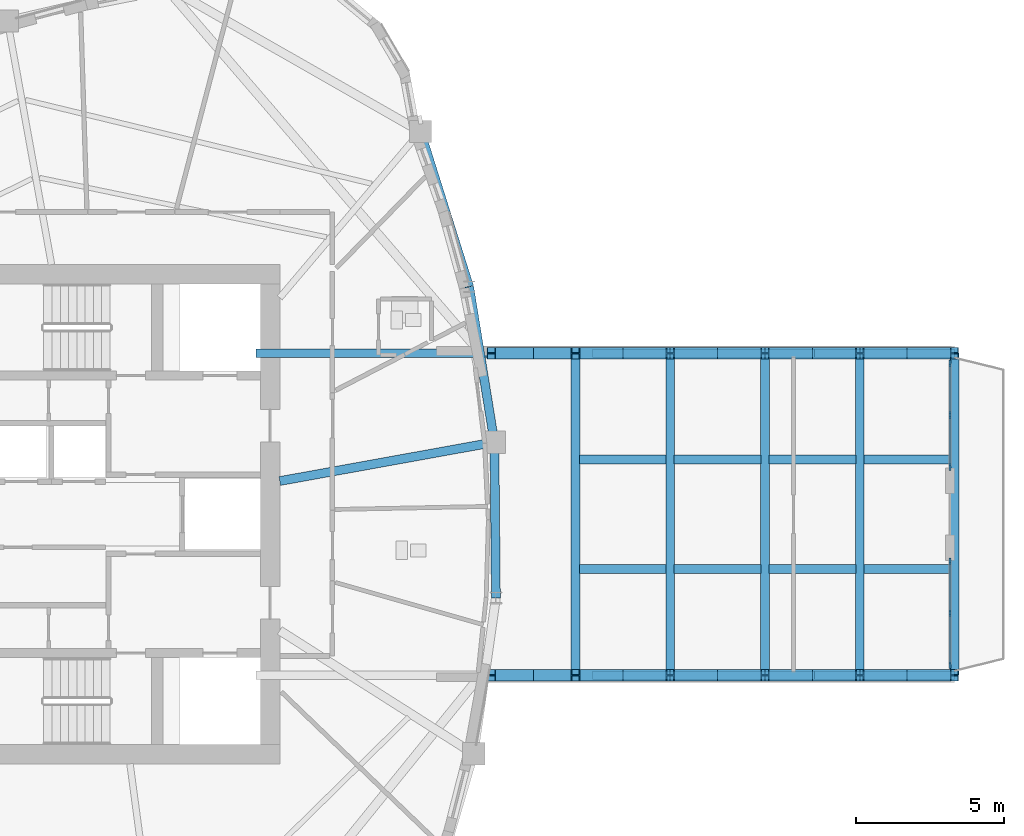
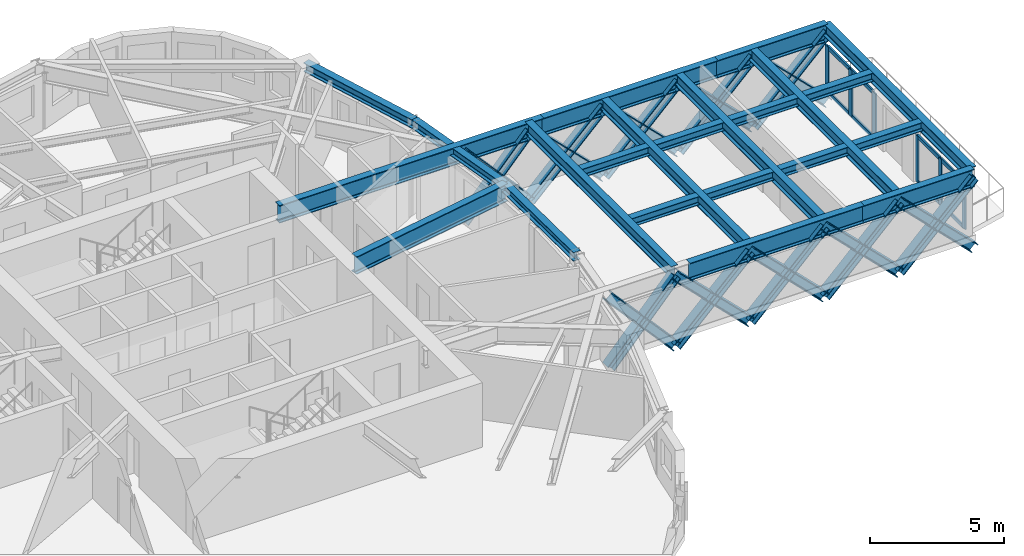
# One storey, part 2 of 13: 34 members, 22 beams, 2 elements without a shape of their own.
"""IFC4 building model written with IfcOpenShell, lengths in metres."""

from ifc_helpers import new_model, si_unit, direction, frame, origin, origin_2d, place, context, subcontext, project, spatial, rectangle, i_section, extrude, source, transform, mapped, material, layer, layer_set, material_profile, profile_set, type_object, element, aggregate, save


model = new_model("IFC4")

# Units and contexts
model_context = context("Model", 3, precision=1e-05, world=origin(), true_north=direction((0.0, 1.0)))
body_context = subcontext(model_context, "Body", "Model", "MODEL_VIEW")
ifc_project = project(units=[si_unit("LENGTHUNIT", "METRE"), si_unit("AREAUNIT", "SQUARE_METRE"), si_unit("VOLUMEUNIT", "CUBIC_METRE"), si_unit("PLANEANGLEUNIT", "RADIAN"), si_unit("MASSUNIT", "GRAM", prefix="KILO")], contexts=[model_context])

# Site, building, storey
site_placement = place(None, origin())
site = spatial("IfcSite", under=ifc_project, at=site_placement, CompositionType="ELEMENT")
building_placement = place(site_placement, origin())
building = spatial("IfcBuilding", under=site, at=building_placement, Name="Qafzar Sky-Pleat Residences", CompositionType="ELEMENT")
storey_placement = place(building_placement, frame((0.0, 0.0, 155.39990234375)))
storey = spatial("IfcBuildingStorey", under=building, at=storey_placement, Name="L46", CompositionType="ELEMENT", Elevation=155.39990234375)

# Beams
ifc_material_1 = material(Name="Steel S355", Category="steel")
ifc_material_profile_1 = material_profile(ifc_material_1, i_section(OverallWidth=0.300048828125, OverallDepth=0.39990234375, WebThickness=0.013427734375, FlangeThickness=0.02392578125, FilletRadius=0.027099609375, at=origin_2d()), Name="HEB 400")
ifc_profile_set_1 = profile_set([ifc_material_profile_1], Name="Steel S355")
beam_type_1 = type_object("IfcBeamType", Name="BM-SPAN-HEB400", PredefinedType="SPANDREL", material=ifc_profile_set_1)
shared_shape_1 = source(origin(), body_context, "Body", "SweptSolid", [
    extrude(i_section(OverallWidth=0.300048828125, OverallDepth=0.39990234375, WebThickness=0.013427734375, FlangeThickness=0.02392578125, FilletRadius=0.027099609375, at=origin_2d()), origin(), (0.0, 0.0, 1.0), 5.508544921875),
])
beam_1_placement = place(storey_placement, frame((42.964111328125, 33.7001953125, 2.733154296875), z_axis=(-0.300093956645, 0.953909648334, 0.0), x_axis=(-0.953909648334, -0.300093956645, 0.0)))
element("IfcBeam", 1, at=beam_1_placement, inside=storey, type_object=beam_type_1, Name="L46 Perimeter Spandrel Beam 12", PredefinedType="SPANDREL", context=body_context, shape_type="MappedRepresentation", body=[
    mapped(shared_shape_1, transform((0.0, 0.0, 0.0), x_axis=(1.0, 0.0, 0.0), y_axis=(0.0, 1.0, 0.0), z_axis=(0.0, 0.0, 1.0), scale=1.0)),
])
shared_shape_2 = source(origin(), body_context, "Body", "SweptSolid", [
    extrude(i_section(OverallWidth=0.300048828125, OverallDepth=0.39990234375, WebThickness=0.013427734375, FlangeThickness=0.02392578125, FilletRadius=0.027099609375, at=origin_2d()), origin(), (0.0, 0.0, 1.0), 5.330810546875),
])
beam_2_placement = place(storey_placement, frame((43.81591796875, 28.43798828125, 2.733154296875), z_axis=(-0.159792544601, 0.987150618037, 0.0), x_axis=(-0.987150618037, -0.159792544601, 0.0)))
element("IfcBeam", 2, at=beam_2_placement, inside=storey, type_object=beam_type_1, Name="L46 Perimeter Spandrel Beam 11", PredefinedType="SPANDREL", context=body_context, shape_type="MappedRepresentation", body=[
    mapped(shared_shape_2, transform((0.0, 0.0, 0.0), x_axis=(1.0, 0.0, 0.0), y_axis=(0.0, 1.0, 0.0), z_axis=(0.0, 0.0, 1.0), scale=1.0)),
])
shared_shape_3 = source(origin(), body_context, "Body", "SweptSolid", [
    extrude(i_section(OverallWidth=0.300048828125, OverallDepth=0.39990234375, WebThickness=0.013427734375, FlangeThickness=0.02392578125, FilletRadius=0.027099609375, at=origin_2d()), origin(), (0.0, 0.0, 1.0), 5.27001953125),
])
beam_3_placement = place(storey_placement, frame((43.866943359375, 23.168212890625, 2.733154296875), z_axis=(-0.009682196128, 0.999953126441, 0.0), x_axis=(-0.999953126441, -0.009682196128, 0.0)))
element("IfcBeam", 3, at=beam_3_placement, inside=storey, type_object=beam_type_1, Name="L46 Perimeter Spandrel Beam 10", PredefinedType="SPANDREL", context=body_context, shape_type="MappedRepresentation", body=[
    mapped(shared_shape_3, transform((0.0, 0.0, 0.0), x_axis=(1.0, 0.0, 0.0), y_axis=(0.0, 1.0, 0.0), z_axis=(0.0, 0.0, 1.0), scale=1.0)),
])
ifc_material_2 = material(Name="Steel S460", Category="steel")
ifc_material_profile_2 = material_profile(ifc_material_2, i_section(OverallWidth=0.300048828125, OverallDepth=0.800048828125, WebThickness=0.017578125, FlangeThickness=0.032958984375, FilletRadius=0.030029296875, at=origin_2d()), Name="HEB 800")
ifc_profile_set_2 = profile_set([ifc_material_profile_2], Name="Steel S460")
beam_type_2 = type_object("IfcBeamType", Name="BM-CHORD-HEB800", PredefinedType="BEAM", material=ifc_profile_set_2)
shared_shape_4 = source(origin(), body_context, "Body", "SweptSolid", [
    extrude(i_section(OverallWidth=0.300048828125, OverallDepth=0.800048828125, WebThickness=0.017578125, FlangeThickness=0.032958984375, FilletRadius=0.030029296875, at=origin_2d()), origin(), (0.0, 0.0, 1.0), 7.384033203125),
])
beam_4_placement = place(storey_placement, frame((43.81591796875, 28.43798828125, 2.533203125), z_axis=(-0.98400400276, -0.178146351496, 0.0), x_axis=(0.178146351496, -0.98400400276, 0.0)))
element("IfcBeam", 4, at=beam_4_placement, inside=storey, type_object=beam_type_2, Name="L46 Radial Floor Girder 11", PredefinedType="BEAM", context=body_context, shape_type="MappedRepresentation", body=[
    mapped(shared_shape_4, transform((0.0, 0.0, 0.0), x_axis=(1.0, 0.0, 0.0), y_axis=(0.0, 1.0, 0.0), z_axis=(0.0, 0.0, 1.0), scale=1.0)),
])
shared_shape_5 = source(origin(), body_context, "Body", "SweptSolid", [
    extrude(i_section(OverallWidth=0.300048828125, OverallDepth=0.800048828125, WebThickness=0.017578125, FlangeThickness=0.032958984375, FilletRadius=0.030029296875, at=origin_2d()), origin(), (0.0, 0.0, 1.0), 11.405029296875),
])
beam_5_placement = place(storey_placement, frame((35.75, 31.449951171875, 2.533203125), z_axis=(1.0, 0.0, 0.0), x_axis=(0.0, 1.0, 0.0)))
element("IfcBeam", 5, at=beam_5_placement, inside=storey, type_object=beam_type_2, Name="L46 SB-4 Truss Chord L1", PredefinedType="BEAM", context=body_context, shape_type="MappedRepresentation", body=[
    mapped(shared_shape_5, transform((0.0, 0.0, 0.0), x_axis=(1.0, 0.0, 0.0), y_axis=(0.0, 1.0, 0.0), z_axis=(0.0, 0.0, 1.0), scale=1.0)),
])
shared_shape_6 = source(origin(), body_context, "Body", "SweptSolid", [
    extrude(i_section(OverallWidth=0.300048828125, OverallDepth=0.800048828125, WebThickness=0.017578125, FlangeThickness=0.032958984375, FilletRadius=0.030029296875, at=origin_2d()), origin(), (0.0, 0.0, 1.0), 7.510009765625),
])
for number, where, z_axis, x_axis, name in (
    (6, (47.14501953125, 31.449951171875, 2.533203125), (1.0, 0.0, 0.0), (0.0, 1.0, 0.0), "L46 SB-4 Truss Chord L2"),
    (7, (47.14501953125, 20.550048828125, 2.533203125), (1.0, 0.0, 0.0), (0.0, 1.0, 0.0), "L46 SB-4 Truss Chord R2"),
):
    element("IfcBeam", number, at=place(storey_placement, frame(where, z_axis=z_axis, x_axis=x_axis)), inside=storey, type_object=beam_type_2, Name=name, PredefinedType="BEAM", context=body_context, shape_type="MappedRepresentation", body=[
        mapped(shared_shape_6, transform((0.0, 0.0, 0.0), x_axis=(1.0, 0.0, 0.0), y_axis=(0.0, 1.0, 0.0), z_axis=(0.0, 0.0, 1.0), scale=1.0)),
    ])
shared_shape_7 = source(origin(), body_context, "Body", "SweptSolid", [
    extrude(i_section(OverallWidth=0.300048828125, OverallDepth=0.800048828125, WebThickness=0.017578125, FlangeThickness=0.032958984375, FilletRadius=0.030029296875, at=origin_2d()), origin(), (0.0, 0.0, 1.0), 4.74755859375),
])
for number, where, z_axis, x_axis, name in (
    (8, (54.64501953125, 31.449951171875, 2.533203125), (1.0, 0.0, 0.0), (0.0, 1.0, 0.0), "L46 SB-4 Truss Chord L3"),
    (9, (54.64501953125, 20.550048828125, 2.533203125), (1.0, 0.0, 0.0), (0.0, 1.0, 0.0), "L46 SB-4 Truss Chord R3"),
):
    element("IfcBeam", number, at=place(storey_placement, frame(where, z_axis=z_axis, x_axis=x_axis)), inside=storey, type_object=beam_type_2, Name=name, PredefinedType="BEAM", context=body_context, shape_type="MappedRepresentation", body=[
        mapped(shared_shape_7, transform((0.0, 0.0, 0.0), x_axis=(1.0, 0.0, 0.0), y_axis=(0.0, 1.0, 0.0), z_axis=(0.0, 0.0, 1.0), scale=1.0)),
    ])
ifc_material_profile_3 = material_profile(ifc_material_1, i_section(OverallWidth=0.300048828125, OverallDepth=0.550048828125, WebThickness=0.014892578125, FlangeThickness=0.029052734375, FilletRadius=0.027099609375, at=origin_2d()), Name="HEB 550")
ifc_profile_set_3 = profile_set([ifc_material_profile_3], Name="Steel S355")
beam_type_3 = type_object("IfcBeamType", Name="BM-GIRD-HEB550", PredefinedType="BEAM", material=ifc_profile_set_3)
shared_shape_8 = source(origin(), body_context, "Body", "SweptSolid", [
    extrude(i_section(OverallWidth=0.300048828125, OverallDepth=0.550048828125, WebThickness=0.014892578125, FlangeThickness=0.029052734375, FilletRadius=0.027099609375, at=origin_2d()), origin(), (0.0, 0.0, 1.0), 10.89990234375),
])
for number, where, z_axis, x_axis, name in (
    (10, (46.55859375, 31.449951171875, 2.658203125), (0.0, -1.0, 0.0), (1.0, 0.0, 0.0), "L46 SB-4 Transverse Girder 1"),
    (11, (49.76708984375, 31.449951171875, 2.658203125), (0.0, -1.0, 0.0), (1.0, 0.0, 0.0), "L46 SB-4 Transverse Girder 2"),
    (12, (52.9755859375, 31.449951171875, 2.658203125), (0.0, -1.0, 0.0), (1.0, 0.0, 0.0), "L46 SB-4 Transverse Girder 3"),
    (13, (56.18408203125, 31.449951171875, 2.658203125), (0.0, -1.0, 0.0), (1.0, 0.0, 0.0), "L46 SB-4 Transverse Girder 4"),
    (14, (59.392578125, 31.449951171875, 2.658203125), (0.0, -1.0, 0.0), (1.0, 0.0, 0.0), "L46 SB-4 Transverse Girder 5"),
):
    element("IfcBeam", number, at=place(storey_placement, frame(where, z_axis=z_axis, x_axis=x_axis)), inside=storey, type_object=beam_type_3, Name=name, PredefinedType="BEAM", context=body_context, shape_type="MappedRepresentation", body=[
        mapped(shared_shape_8, transform((0.0, 0.0, 0.0), x_axis=(1.0, 0.0, 0.0), y_axis=(0.0, 1.0, 0.0), z_axis=(0.0, 0.0, 1.0), scale=1.0)),
    ])
ifc_material_profile_4 = material_profile(ifc_material_1, i_section(OverallWidth=0.300048828125, OverallDepth=0.389892578125, WebThickness=0.010986328125, FlangeThickness=0.01904296875, FilletRadius=0.027099609375, at=origin_2d()), Name="HEA 400")
ifc_profile_set_4 = profile_set([ifc_material_profile_4], Name="Steel S355")
beam_type_4 = type_object("IfcBeamType", Name="BM-SBJ-HEA400", PredefinedType="JOIST", material=ifc_profile_set_4)
shared_shape_9 = source(origin(), body_context, "Body", "SweptSolid", [
    extrude(i_section(OverallWidth=0.300048828125, OverallDepth=0.389892578125, WebThickness=0.010986328125, FlangeThickness=0.01904296875, FilletRadius=0.027099609375, at=origin_2d()), origin(), (0.0, 0.0, 1.0), 2.9384765625),
])
for number, where, z_axis, x_axis, name in (
    (15, (46.693603515625, 24.14697265625, 2.738037109375), (1.0, 0.0, 0.0), (0.0, 1.0, 0.0), "L46 SB-4 Sky-Bar Secondary Deck Joist 2.1"),
    (16, (46.693603515625, 27.85302734375, 2.738037109375), (1.0, 0.0, 0.0), (0.0, 1.0, 0.0), "L46 SB-4 Sky-Bar Secondary Deck Joist 2.2"),
    (17, (49.902099609375, 24.14697265625, 2.738037109375), (1.0, 0.0, 0.0), (0.0, 1.0, 0.0), "L46 SB-4 Sky-Bar Secondary Deck Joist 3.1"),
    (18, (49.902099609375, 27.85302734375, 2.738037109375), (1.0, 0.0, 0.0), (0.0, 1.0, 0.0), "L46 SB-4 Sky-Bar Secondary Deck Joist 3.2"),
    (19, (53.110595703125, 24.14697265625, 2.738037109375), (1.0, 0.0, 0.0), (0.0, 1.0, 0.0), "L46 SB-4 Sky-Bar Secondary Deck Joist 4.1"),
    (20, (53.110595703125, 27.85302734375, 2.738037109375), (1.0, 0.0, 0.0), (0.0, 1.0, 0.0), "L46 SB-4 Sky-Bar Secondary Deck Joist 4.2"),
    (21, (56.319091796875, 24.14697265625, 2.738037109375), (1.0, 0.0, 0.0), (0.0, 1.0, 0.0), "L46 SB-4 Sky-Bar Secondary Deck Joist 5.1"),
    (22, (56.319091796875, 27.85302734375, 2.738037109375), (1.0, 0.0, 0.0), (0.0, 1.0, 0.0), "L46 SB-4 Sky-Bar Secondary Deck Joist 5.2"),
):
    element("IfcBeam", number, at=place(storey_placement, frame(where, z_axis=z_axis, x_axis=x_axis)), inside=storey, type_object=beam_type_4, Name=name, PredefinedType="JOIST", context=body_context, shape_type="MappedRepresentation", body=[
        mapped(shared_shape_9, transform((0.0, 0.0, 0.0), x_axis=(1.0, 0.0, 0.0), y_axis=(0.0, 1.0, 0.0), z_axis=(0.0, 0.0, 1.0), scale=1.0)),
    ])

# Members
ifc_material_profile_5 = material_profile(ifc_material_2, i_section(OverallWidth=0.40087890625, OverallDepth=0.39892578125, WebThickness=0.02294921875, FlangeThickness=0.035888671875, FilletRadius=0.014892578125, at=origin_2d()), Name="HD 400x314")
ifc_profile_set_5 = profile_set([ifc_material_profile_5], Name="Steel S460")
member_type_1 = type_object("IfcMemberType", Name="MEM-SB-DIAG", PredefinedType="BRACE", material=ifc_profile_set_5)
shared_shape_10 = source(origin(), body_context, "Body", "SweptSolid", [
    extrude(i_section(OverallWidth=0.40087890625, OverallDepth=0.39892578125, WebThickness=0.02294921875, FlangeThickness=0.035888671875, FilletRadius=0.014892578125, at=origin_2d()), origin(), (0.0, 0.0, 1.0), 4.284423828125),
])
for number, where, z_axis, x_axis, name in (
    (23, (43.7099609375, 31.449951171875, -0.6669921875), (0.664887140992, 0.0, 0.746943833058), (0.0, 1.0, 0.0), "L46 SB-4 Truss Web Diagonal L1A"),
    (24, (43.7099609375, 31.449951171875, 2.533203125), (0.664887140992, 0.0, -0.746943833058), (0.0, 1.0, 0.0), "L46 SB-4 Truss Web Diagonal L1B"),
    (25, (43.7099609375, 20.550048828125, -0.6669921875), (0.664887140992, 0.0, 0.746943833058), (0.0, 1.0, 0.0), "L46 SB-4 Truss Web Diagonal R1A"),
    (26, (43.7099609375, 20.550048828125, 2.533203125), (0.664887140992, 0.0, -0.746943833058), (0.0, 1.0, 0.0), "L46 SB-4 Truss Web Diagonal R1B"),
):
    element("IfcMember", number, at=place(storey_placement, frame(where, z_axis=z_axis, x_axis=x_axis)), inside=storey, type_object=member_type_1, Name=name, PredefinedType="BRACE", context=body_context, shape_type="MappedRepresentation", body=[
        mapped(shared_shape_10, transform((0.0, 0.0, 0.0), x_axis=(1.0, 0.0, 0.0), y_axis=(0.0, 1.0, 0.0), z_axis=(0.0, 0.0, 1.0), scale=1.0)),
    ])
shared_shape_11 = source(origin(), body_context, "Body", "SweptSolid", [
    extrude(i_section(OverallWidth=0.40087890625, OverallDepth=0.39892578125, WebThickness=0.02294921875, FlangeThickness=0.035888671875, FilletRadius=0.014892578125, at=origin_2d()), origin(), (0.0, 0.0, 1.0), 4.53173828125),
])
for number, where, z_axis, x_axis, name in (
    (27, (46.55859375, 31.449951171875, -0.6669921875), (0.708022058924, 0.0, 0.706190317179), (0.0, 1.0, 0.0), "L46 SB-4 Truss Web Diagonal L2A"),
    (28, (46.55859375, 31.449951171875, 2.533203125), (0.708022058924, 0.0, -0.706190317179), (0.0, 1.0, 0.0), "L46 SB-4 Truss Web Diagonal L2B"),
    (29, (49.76708984375, 31.449951171875, -0.6669921875), (0.708022058924, 0.0, 0.706190317179), (0.0, 1.0, 0.0), "L46 SB-4 Truss Web Diagonal L3A"),
    (30, (49.76708984375, 31.449951171875, 2.533203125), (0.708022058924, 0.0, -0.706190317179), (0.0, 1.0, 0.0), "L46 SB-4 Truss Web Diagonal L3B"),
    (31, (52.9755859375, 31.449951171875, -0.6669921875), (0.708022058924, 0.0, 0.706190317179), (0.0, 1.0, 0.0), "L46 SB-4 Truss Web Diagonal L4A"),
    (32, (52.9755859375, 31.449951171875, 2.533203125), (0.708022058924, 0.0, -0.706190317179), (0.0, 1.0, 0.0), "L46 SB-4 Truss Web Diagonal L4B"),
    (33, (56.18408203125, 31.449951171875, -0.6669921875), (0.708022058924, 0.0, 0.706190317179), (0.0, 1.0, 0.0), "L46 SB-4 Truss Web Diagonal L5A"),
    (34, (56.18408203125, 31.449951171875, 2.533203125), (0.708022058924, 0.0, -0.706190317179), (0.0, 1.0, 0.0), "L46 SB-4 Truss Web Diagonal L5B"),
    (35, (46.55859375, 20.550048828125, -0.6669921875), (0.708022058924, 0.0, 0.706190317179), (0.0, 1.0, 0.0), "L46 SB-4 Truss Web Diagonal R2A"),
    (36, (46.55859375, 20.550048828125, 2.533203125), (0.708022058924, 0.0, -0.706190317179), (0.0, 1.0, 0.0), "L46 SB-4 Truss Web Diagonal R2B"),
    (37, (49.76708984375, 20.550048828125, -0.6669921875), (0.708022058924, 0.0, 0.706190317179), (0.0, 1.0, 0.0), "L46 SB-4 Truss Web Diagonal R3A"),
    (38, (49.76708984375, 20.550048828125, 2.533203125), (0.708022058924, 0.0, -0.706190317179), (0.0, 1.0, 0.0), "L46 SB-4 Truss Web Diagonal R3B"),
    (39, (52.9755859375, 20.550048828125, -0.6669921875), (0.708022058924, 0.0, 0.706190317179), (0.0, 1.0, 0.0), "L46 SB-4 Truss Web Diagonal R4A"),
    (40, (52.9755859375, 20.550048828125, 2.533203125), (0.708022058924, 0.0, -0.706190317179), (0.0, 1.0, 0.0), "L46 SB-4 Truss Web Diagonal R4B"),
    (41, (56.18408203125, 20.550048828125, -0.6669921875), (0.708022058924, 0.0, 0.706190317179), (0.0, 1.0, 0.0), "L46 SB-4 Truss Web Diagonal R5A"),
    (42, (56.18408203125, 20.550048828125, 2.533203125), (0.708022058924, 0.0, -0.706190317179), (0.0, 1.0, 0.0), "L46 SB-4 Truss Web Diagonal R5B"),
):
    element("IfcMember", number, at=place(storey_placement, frame(where, z_axis=z_axis, x_axis=x_axis)), inside=storey, type_object=member_type_1, Name=name, PredefinedType="BRACE", context=body_context, shape_type="MappedRepresentation", body=[
        mapped(shared_shape_11, transform((0.0, 0.0, 0.0), x_axis=(1.0, 0.0, 0.0), y_axis=(0.0, 1.0, 0.0), z_axis=(0.0, 0.0, 1.0), scale=1.0)),
    ])

# Curtain wall, members
ifc_material_3 = material(Name="Anodised bronze aluminium framing", Category="aluminium")
ifc_layer_1 = layer(ifc_material_3, 0.239990234375)
ifc_layer_set_1 = layer_set([ifc_layer_1], Name="Anodised bronze aluminium framing")
curtain_wall_type_1 = type_object("IfcCurtainWallType", Name="CW-SYS-02", PredefinedType="NOTDEFINED", material=ifc_layer_set_1)
curtain_wall_1_placement = place(storey_placement, origin())
curtain_wall_1 = element("IfcCurtainWall", 43, at=curtain_wall_1_placement, inside=storey, type_object=curtain_wall_type_1, Name="L46 CW-02 Curtain Wall CW-L46-SB-4-PROW-L", PredefinedType="NOTDEFINED")
ifc_material_4 = material(Name="Anodised bronze aluminium", Category="aluminium")
ifc_material_profile_6 = material_profile(ifc_material_4, rectangle(XDim=0.074951171875, YDim=0.239990234375, at=origin_2d()), Name="ALU MULLION 75x240")
ifc_profile_set_6 = profile_set([ifc_material_profile_6], Name="Anodised bronze aluminium")
member_type_2 = type_object("IfcMemberType", Name="CWM-02", PredefinedType="MULLION", material=ifc_profile_set_6)
shared_shape_12 = source(origin(), body_context, "Body", "SweptSolid", [
    extrude(rectangle(XDim=0.074951171875, YDim=0.239990234375, at=origin_2d()), origin(), (0.0, 0.0, 1.0), 2.114990234375),
])
member_1_placement = place(storey_placement, frame((59.24267578125, 31.1025390625, 0.0), z_axis=(0.0, 0.0, 1.0), x_axis=(1.0, 0.0, 0.0)))
member_1 = element("IfcMember", 44, at=member_1_placement, type_object=member_type_2, Name="CW-02 mullion 1", PredefinedType="MULLION", context=body_context, shape_type="MappedRepresentation", body=[
    mapped(shared_shape_12, transform((0.0, 0.0, 0.0), x_axis=(1.0, 0.0, 0.0), y_axis=(0.0, 1.0, 0.0), z_axis=(0.0, 0.0, 1.0), scale=1.0)),
])
member_2_placement = place(storey_placement, frame((59.24267578125, 29.35009765625, 0.0), z_axis=(0.0, 0.0, 1.0), x_axis=(1.0, 0.0, 0.0)))
member_2 = element("IfcMember", 45, at=member_2_placement, type_object=member_type_2, Name="CW-02 mullion 2", PredefinedType="MULLION", context=body_context, shape_type="MappedRepresentation", body=[
    mapped(shared_shape_12, transform((0.0, 0.0, 0.0), x_axis=(1.0, 0.0, 0.0), y_axis=(0.0, 1.0, 0.0), z_axis=(0.0, 0.0, 1.0), scale=1.0)),
])
member_3_placement = place(storey_placement, frame((59.24267578125, 27.597412109375, 0.0), z_axis=(0.0, 0.0, 1.0), x_axis=(1.0, 0.0, 0.0)))
member_3 = element("IfcMember", 46, at=member_3_placement, type_object=member_type_2, Name="CW-02 mullion 3", PredefinedType="MULLION", context=body_context, shape_type="MappedRepresentation", body=[
    mapped(shared_shape_12, transform((0.0, 0.0, 0.0), x_axis=(1.0, 0.0, 0.0), y_axis=(0.0, 1.0, 0.0), z_axis=(0.0, 0.0, 1.0), scale=1.0)),
])

ifc_layer_2 = layer(ifc_material_3, 0.219970703125)
ifc_layer_set_2 = layer_set([ifc_layer_2], Name="Anodised bronze aluminium framing")
curtain_wall_type_2 = type_object("IfcCurtainWallType", Name="CW-SYS-03", PredefinedType="NOTDEFINED", material=ifc_layer_set_2)
curtain_wall_2_placement = place(storey_placement, origin())
curtain_wall_2 = element("IfcCurtainWall", 47, at=curtain_wall_2_placement, inside=storey, type_object=curtain_wall_type_2, Name="L46 CW-03 Curtain Wall CW-L46-SB-4-PROW-R", PredefinedType="NOTDEFINED")
ifc_material_profile_7 = material_profile(ifc_material_4, rectangle(XDim=0.070068359375, YDim=0.219970703125, at=origin_2d()), Name="ALU MULLION 70x220")
ifc_profile_set_7 = profile_set([ifc_material_profile_7], Name="Anodised bronze aluminium")
member_type_3 = type_object("IfcMemberType", Name="CWM-03", PredefinedType="MULLION", material=ifc_profile_set_7)
shared_shape_13 = source(origin(), body_context, "Body", "SweptSolid", [
    extrude(rectangle(XDim=0.070068359375, YDim=0.219970703125, at=origin_2d()), origin(), (0.0, 0.0, 1.0), 2.114990234375),
])
member_4_placement = place(storey_placement, frame((59.24267578125, 24.405029296875, 0.0), z_axis=(0.0, 0.0, 1.0), x_axis=(1.0, 0.0, 0.0)))
member_4 = element("IfcMember", 48, at=member_4_placement, type_object=member_type_3, Name="CW-03 mullion 1", PredefinedType="MULLION", context=body_context, shape_type="MappedRepresentation", body=[
    mapped(shared_shape_13, transform((0.0, 0.0, 0.0), x_axis=(1.0, 0.0, 0.0), y_axis=(0.0, 1.0, 0.0), z_axis=(0.0, 0.0, 1.0), scale=1.0)),
])
member_5_placement = place(storey_placement, frame((59.24267578125, 22.64990234375, 0.0), z_axis=(0.0, 0.0, 1.0), x_axis=(1.0, 0.0, 0.0)))
member_5 = element("IfcMember", 49, at=member_5_placement, type_object=member_type_3, Name="CW-03 mullion 2", PredefinedType="MULLION", context=body_context, shape_type="MappedRepresentation", body=[
    mapped(shared_shape_13, transform((0.0, 0.0, 0.0), x_axis=(1.0, 0.0, 0.0), y_axis=(0.0, 1.0, 0.0), z_axis=(0.0, 0.0, 1.0), scale=1.0)),
])
member_6_placement = place(storey_placement, frame((59.24267578125, 20.89501953125, 0.0), z_axis=(0.0, 0.0, 1.0), x_axis=(1.0, 0.0, 0.0)))
member_6 = element("IfcMember", 50, at=member_6_placement, type_object=member_type_3, Name="CW-03 mullion 3", PredefinedType="MULLION", context=body_context, shape_type="MappedRepresentation", body=[
    mapped(shared_shape_13, transform((0.0, 0.0, 0.0), x_axis=(1.0, 0.0, 0.0), y_axis=(0.0, 1.0, 0.0), z_axis=(0.0, 0.0, 1.0), scale=1.0)),
])

# Member
ifc_material_profile_8 = material_profile(ifc_material_4, rectangle(XDim=0.074951171875, YDim=0.179931640625, at=origin_2d()), Name="ALU TRANSOM 75x180")
ifc_profile_set_8 = profile_set([ifc_material_profile_8], Name="Anodised bronze aluminium")
member_type_4 = type_object("IfcMemberType", Name="CWT-02", PredefinedType="USERDEFINED", material=ifc_profile_set_8)
shared_shape_14 = source(origin(), body_context, "Body", "SweptSolid", [
    extrude(rectangle(XDim=0.074951171875, YDim=0.179931640625, at=origin_2d()), origin(), (0.0, 0.0, 1.0), 1.677490234375),
])
member_7_placement = place(storey_placement, frame((59.24267578125, 31.06494140625, 0.03759765625), z_axis=(0.0, -1.0, 0.0), x_axis=(1.0, 0.0, 0.0)))
member_7 = element("IfcMember", 51, at=member_7_placement, type_object=member_type_4, Name="CW-02 transom 1.1", ObjectType="TRANSOM", PredefinedType="USERDEFINED", context=body_context, shape_type="MappedRepresentation", body=[
    mapped(shared_shape_14, transform((0.0, 0.0, 0.0), x_axis=(1.0, 0.0, 0.0), y_axis=(0.0, 1.0, 0.0), z_axis=(0.0, 0.0, 1.0), scale=1.0)),
])

member_8_placement = place(storey_placement, frame((59.24267578125, 31.06494140625, 2.07763671875), z_axis=(0.0, -1.0, 0.0), x_axis=(1.0, 0.0, 0.0)))
member_8 = element("IfcMember", 52, at=member_8_placement, type_object=member_type_4, Name="CW-02 transom 1.2", ObjectType="TRANSOM", PredefinedType="USERDEFINED", context=body_context, shape_type="MappedRepresentation", body=[
    mapped(shared_shape_14, transform((0.0, 0.0, 0.0), x_axis=(1.0, 0.0, 0.0), y_axis=(0.0, 1.0, 0.0), z_axis=(0.0, 0.0, 1.0), scale=1.0)),
])

member_9_placement = place(storey_placement, frame((59.24267578125, 29.3125, 0.03759765625), z_axis=(0.0, -1.0, 0.0), x_axis=(1.0, 0.0, 0.0)))
member_9 = element("IfcMember", 53, at=member_9_placement, type_object=member_type_4, Name="CW-02 transom 2.1", ObjectType="TRANSOM", PredefinedType="USERDEFINED", context=body_context, shape_type="MappedRepresentation", body=[
    mapped(shared_shape_14, transform((0.0, 0.0, 0.0), x_axis=(1.0, 0.0, 0.0), y_axis=(0.0, 1.0, 0.0), z_axis=(0.0, 0.0, 1.0), scale=1.0)),
])

member_10_placement = place(storey_placement, frame((59.24267578125, 29.3125, 2.07763671875), z_axis=(0.0, -1.0, 0.0), x_axis=(1.0, 0.0, 0.0)))
member_10 = element("IfcMember", 54, at=member_10_placement, type_object=member_type_4, Name="CW-02 transom 2.2", ObjectType="TRANSOM", PredefinedType="USERDEFINED", context=body_context, shape_type="MappedRepresentation", body=[
    mapped(shared_shape_14, transform((0.0, 0.0, 0.0), x_axis=(1.0, 0.0, 0.0), y_axis=(0.0, 1.0, 0.0), z_axis=(0.0, 0.0, 1.0), scale=1.0)),
])

aggregate(curtain_wall_1, [member_1, member_2, member_3, member_7, member_8, member_9, member_10])

ifc_material_profile_9 = material_profile(ifc_material_4, rectangle(XDim=0.070068359375, YDim=0.1650390625, at=origin_2d()), Name="ALU TRANSOM 70x165")
ifc_profile_set_9 = profile_set([ifc_material_profile_9], Name="Anodised bronze aluminium")
member_type_5 = type_object("IfcMemberType", Name="CWT-03", PredefinedType="USERDEFINED", material=ifc_profile_set_9)
shared_shape_15 = source(origin(), body_context, "Body", "SweptSolid", [
    extrude(rectangle(XDim=0.070068359375, YDim=0.1650390625, at=origin_2d()), origin(), (0.0, 0.0, 1.0), 1.68505859375),
])
member_11_placement = place(storey_placement, frame((59.24267578125, 24.3701171875, 0.03515625), z_axis=(0.0, -1.0, 0.0), x_axis=(1.0, 0.0, 0.0)))
member_11 = element("IfcMember", 55, at=member_11_placement, type_object=member_type_5, Name="CW-03 transom 1.1", ObjectType="TRANSOM", PredefinedType="USERDEFINED", context=body_context, shape_type="MappedRepresentation", body=[
    mapped(shared_shape_15, transform((0.0, 0.0, 0.0), x_axis=(1.0, 0.0, 0.0), y_axis=(0.0, 1.0, 0.0), z_axis=(0.0, 0.0, 1.0), scale=1.0)),
])

member_12_placement = place(storey_placement, frame((59.24267578125, 24.3701171875, 2.080078125), z_axis=(0.0, -1.0, 0.0), x_axis=(1.0, 0.0, 0.0)))
member_12 = element("IfcMember", 56, at=member_12_placement, type_object=member_type_5, Name="CW-03 transom 1.2", ObjectType="TRANSOM", PredefinedType="USERDEFINED", context=body_context, shape_type="MappedRepresentation", body=[
    mapped(shared_shape_15, transform((0.0, 0.0, 0.0), x_axis=(1.0, 0.0, 0.0), y_axis=(0.0, 1.0, 0.0), z_axis=(0.0, 0.0, 1.0), scale=1.0)),
])

member_13_placement = place(storey_placement, frame((59.24267578125, 22.614990234375, 0.03515625), z_axis=(0.0, -1.0, 0.0), x_axis=(1.0, 0.0, 0.0)))
member_13 = element("IfcMember", 57, at=member_13_placement, type_object=member_type_5, Name="CW-03 transom 2.1", ObjectType="TRANSOM", PredefinedType="USERDEFINED", context=body_context, shape_type="MappedRepresentation", body=[
    mapped(shared_shape_15, transform((0.0, 0.0, 0.0), x_axis=(1.0, 0.0, 0.0), y_axis=(0.0, 1.0, 0.0), z_axis=(0.0, 0.0, 1.0), scale=1.0)),
])

member_14_placement = place(storey_placement, frame((59.24267578125, 22.614990234375, 2.080078125), z_axis=(0.0, -1.0, 0.0), x_axis=(1.0, 0.0, 0.0)))
member_14 = element("IfcMember", 58, at=member_14_placement, type_object=member_type_5, Name="CW-03 transom 2.2", ObjectType="TRANSOM", PredefinedType="USERDEFINED", context=body_context, shape_type="MappedRepresentation", body=[
    mapped(shared_shape_15, transform((0.0, 0.0, 0.0), x_axis=(1.0, 0.0, 0.0), y_axis=(0.0, 1.0, 0.0), z_axis=(0.0, 0.0, 1.0), scale=1.0)),
])

aggregate(curtain_wall_2, [member_4, member_5, member_6, member_11, member_12, member_13, member_14])

save(model, "model.ifc")
